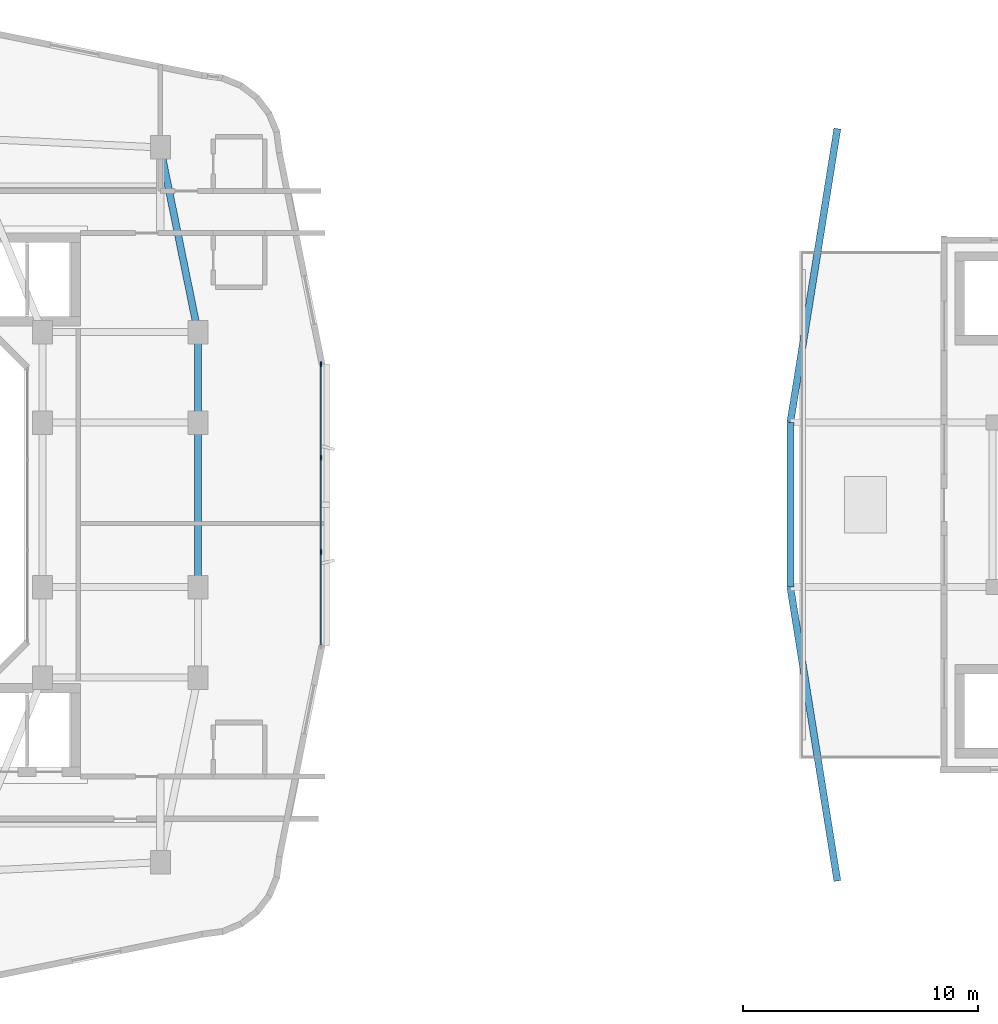
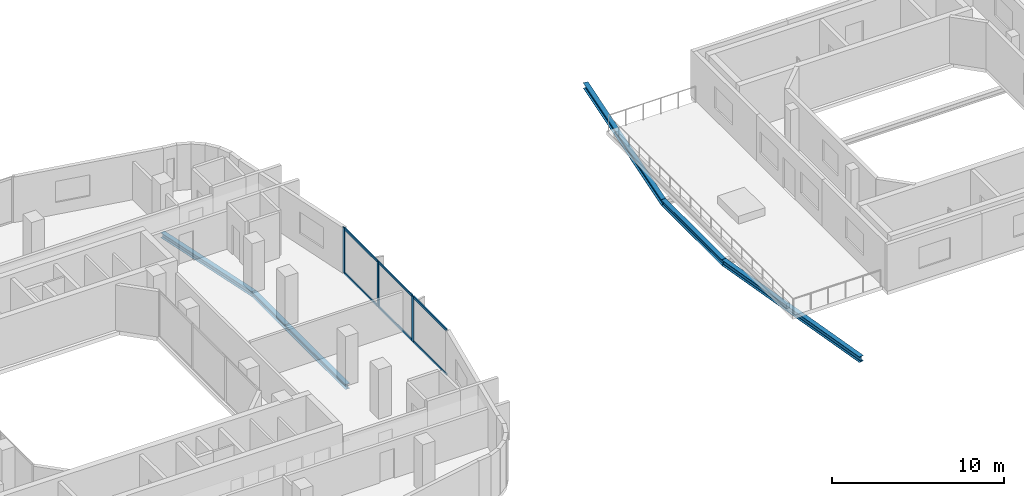
# One storey, part 5 of 18: 9 members, 6 beams, 1 element without a shape of its own.
"""IFC4 building model written with IfcOpenShell, lengths in metres."""

from ifc_helpers import new_model, si_unit, derived_unit, direction, frame, origin, origin_2d, place, context, subcontext, project, spatial, rectangle, i_section, extrude, material, layer, layer_set, material_profile, profile_set, type_object, element, aggregate, save


model = new_model("IFC4")

# Units and contexts
model_context = context("Model", 3, precision=1e-05, world=origin(), true_north=direction((0.0, 1.0)))
body_context = subcontext(model_context, "Body", "Model", "MODEL_VIEW")
ifc_project = project(units=[si_unit("LENGTHUNIT", "METRE"), si_unit("AREAUNIT", "SQUARE_METRE"), si_unit("VOLUMEUNIT", "CUBIC_METRE"), si_unit("PLANEANGLEUNIT", "RADIAN"), si_unit("MASSUNIT", "GRAM", prefix="KILO"), derived_unit("THERMALTRANSMITTANCEUNIT", [(si_unit("POWERUNIT", "WATT"), 1), (si_unit("LENGTHUNIT", "METRE"), -2), (si_unit("THERMODYNAMICTEMPERATUREUNIT", "KELVIN"), -1)])], contexts=[model_context])

# Site, building, storey
site_placement = place(None, origin())
site = spatial("IfcSite", under=ifc_project, at=site_placement, CompositionType="ELEMENT")
building_placement = place(site_placement, origin())
building = spatial("IfcBuilding", under=site, at=building_placement, Name="Kivonza Crest Hotel", CompositionType="ELEMENT")
storey_placement = place(building_placement, frame((0.0, 0.0, 131.0)))
storey = spatial("IfcBuildingStorey", under=building, at=storey_placement, Name="L35", CompositionType="ELEMENT", Elevation=131.0)

# Beams
ifc_material_1 = material(Name="Steel S355", Category="steel")
ifc_material_profile_1 = material_profile(ifc_material_1, i_section(OverallWidth=0.300048828125, OverallDepth=0.360107421875, WebThickness=0.012451171875, FlangeThickness=0.0224609375, FilletRadius=0.027099609375, at=origin_2d()), Name="HEB 360")
ifc_profile_set_1 = profile_set([ifc_material_profile_1], Name="Steel S355")
beam_type_1 = type_object("IfcBeamType", Name="BM-HEB360", PredefinedType="SPANDREL", material=ifc_profile_set_1)
beam_1_placement = place(storey_placement, frame((35.800048828125, 21.5, -0.4599609375), z_axis=(0.0, 1.0, 0.0), x_axis=(-1.0, 0.0, 0.0)))
element("IfcBeam", 1, at=beam_1_placement, inside=storey, type_object=beam_type_1, Name="Tower T1 L35 perimeter spandrel E1-E2", PredefinedType="SPANDREL", context=body_context, shape_type="SweptSolid", body=[
    extrude(i_section(OverallWidth=0.300048828125, OverallDepth=0.360107421875, WebThickness=0.012451171875, FlangeThickness=0.0224609375, FilletRadius=0.027099609375, at=origin_2d()), origin(), (0.0, 0.0, 1.0), 7.0),
])
beam_2_placement = place(storey_placement, frame((35.800048828125, 28.5, -0.4599609375), z_axis=(0.0, 1.0, 0.0), x_axis=(-1.0, 0.0, 0.0)))
element("IfcBeam", 2, at=beam_2_placement, inside=storey, type_object=beam_type_1, Name="Tower T1 L35 perimeter spandrel E2-PNE", PredefinedType="SPANDREL", context=body_context, shape_type="SweptSolid", body=[
    extrude(i_section(OverallWidth=0.300048828125, OverallDepth=0.360107421875, WebThickness=0.012451171875, FlangeThickness=0.0224609375, FilletRadius=0.027099609375, at=origin_2d()), origin(), (0.0, 0.0, 1.0), 3.85009765625),
])
beam_3_placement = place(storey_placement, frame((35.800048828125, 32.35009765625, -0.4599609375), z_axis=(-0.199730733965, 0.979850822273, 0.0), x_axis=(-0.979850822273, -0.199730733965, 0.0)))
element("IfcBeam", 3, at=beam_3_placement, inside=storey, type_object=beam_type_1, Name="Tower T1 L35 perimeter spandrel PNE-NE", PredefinedType="SPANDREL", context=body_context, shape_type="SweptSolid", body=[
    extrude(i_section(OverallWidth=0.300048828125, OverallDepth=0.360107421875, WebThickness=0.012451171875, FlangeThickness=0.0224609375, FilletRadius=0.027099609375, at=origin_2d()), origin(), (0.0, 0.0, 1.0), 8.01123046875),
])
ifc_material_profile_2 = material_profile(ifc_material_1, i_section(OverallWidth=0.300048828125, OverallDepth=0.39990234375, WebThickness=0.013427734375, FlangeThickness=0.02392578125, FilletRadius=0.027099609375, at=origin_2d()), Name="HEB 400")
ifc_profile_set_2 = profile_set([ifc_material_profile_2], Name="Steel S355")
beam_type_2 = type_object("IfcBeamType", Name="BM-HEB400", PredefinedType="BEAM", material=ifc_profile_set_2)
beam_4_placement = place(storey_placement, frame((61.0, 21.5, -0.4599609375), z_axis=(0.0, 1.0, 0.0), x_axis=(-1.0, 0.0, 0.0)))
element("IfcBeam", 4, at=beam_4_placement, inside=storey, type_object=beam_type_2, Name="Companion L35 rooftop terrace girder TW-W", PredefinedType="BEAM", context=body_context, shape_type="SweptSolid", body=[
    extrude(i_section(OverallWidth=0.300048828125, OverallDepth=0.39990234375, WebThickness=0.013427734375, FlangeThickness=0.02392578125, FilletRadius=0.027099609375, at=origin_2d()), origin(), (0.0, 0.0, 1.0), 7.0),
])
for number, where, z_axis, x_axis, name in (
    (5, (63.0, 9.0, -0.4599609375), (-0.157990501107, 0.987440631917, 0.0), (-0.987440631917, -0.157990501107, 0.0), "Companion L35 rooftop terrace girder TW-SW"),
    (6, (61.0, 28.5, -0.4599609375), (0.157990501107, 0.987440631917, 0.0), (-0.987440631917, 0.157990501107, 0.0), "Companion L35 rooftop terrace girder TW-NW"),
):
    element("IfcBeam", number, at=place(storey_placement, frame(where, z_axis=z_axis, x_axis=x_axis)), inside=storey, type_object=beam_type_2, Name=name, PredefinedType="BEAM", context=body_context, shape_type="SweptSolid", body=[
        extrude(i_section(OverallWidth=0.300048828125, OverallDepth=0.39990234375, WebThickness=0.013427734375, FlangeThickness=0.02392578125, FilletRadius=0.027099609375, at=origin_2d()), origin(), (0.0, 0.0, 1.0), 12.658935546875),
    ])

# Curtain wall, members
ifc_material_2 = material(Name="Anodised bronze aluminium and low-E double glazing", Category="aluminium")
ifc_layer = layer(ifc_material_2, 0.179931640625)
ifc_layer_set = layer_set([ifc_layer], Name="Anodised bronze aluminium and low-E double glazing")
curtain_wall_type = type_object("IfcCurtainWallType", Name="CW-SYS-3", PredefinedType="NOTDEFINED", material=ifc_layer_set)
curtain_wall_placement = place(storey_placement, origin())
curtain_wall = element("IfcCurtainWall", 7, at=curtain_wall_placement, inside=storey, type_object=curtain_wall_type, Name="L35 unitised curtain wall CW-T1-L35-17", PredefinedType="NOTDEFINED")
ifc_material_3 = material(Name="Anodised bronze aluminium", Category="aluminium")
ifc_material_profile_3 = material_profile(ifc_material_3, rectangle(XDim=0.074951171875, YDim=0.219970703125, at=origin_2d()), Name="CW-M 75x220")
ifc_profile_set_3 = profile_set([ifc_material_profile_3], Name="Anodised bronze aluminium")
member_type_1 = type_object("IfcMemberType", Name="CW-MUL-75x220", PredefinedType="MULLION", material=ifc_profile_set_3)
member_1_placement = place(storey_placement, frame((41.0400390625, 22.993408203125, 0.0), z_axis=(0.0, 0.0, 1.0), x_axis=(-1.0, 0.0, 0.0)))
member_1 = element("IfcMember", 8, at=member_1_placement, type_object=member_type_1, Name="CW-3 mullion 2", PredefinedType="MULLION", context=body_context, shape_type="SweptSolid", body=[
    extrude(rectangle(XDim=0.074951171875, YDim=0.219970703125, at=origin_2d()), origin(), (0.0, 0.0, 1.0), 3.219970703125),
])
member_2_placement = place(storey_placement, frame((41.0400390625, 27.006591796875, 0.0), z_axis=(0.0, 0.0, 1.0), x_axis=(-1.0, 0.0, 0.0)))
member_2 = element("IfcMember", 9, at=member_2_placement, type_object=member_type_1, Name="CW-3 mullion 3", PredefinedType="MULLION", context=body_context, shape_type="SweptSolid", body=[
    extrude(rectangle(XDim=0.074951171875, YDim=0.219970703125, at=origin_2d()), origin(), (0.0, 0.0, 1.0), 3.219970703125),
])
member_3_placement = place(storey_placement, frame((41.0400390625, 30.982421875, 0.0), z_axis=(0.0, 0.0, 1.0), x_axis=(-1.0, 0.0, 0.0)))
member_3 = element("IfcMember", 10, at=member_3_placement, type_object=member_type_1, Name="CW-3 mullion 4", PredefinedType="MULLION", context=body_context, shape_type="SweptSolid", body=[
    extrude(rectangle(XDim=0.074951171875, YDim=0.219970703125, at=origin_2d()), origin(), (0.0, 0.0, 1.0), 3.219970703125),
])
ifc_material_profile_4 = material_profile(ifc_material_3, rectangle(XDim=0.074951171875, YDim=0.159912109375, at=origin_2d()), Name="CW-T 75x160")
ifc_profile_set_4 = profile_set([ifc_material_profile_4], Name="Anodised bronze aluminium")
member_type_2 = type_object("IfcMemberType", Name="CW-TRN-75x160", PredefinedType="USERDEFINED", material=ifc_profile_set_4)
member_4_placement = place(storey_placement, frame((41.0400390625, 19.054931640625, 0.03759765625), z_axis=(0.0, 1.0, 0.0), x_axis=(-1.0, 0.0, 0.0)))
member_4 = element("IfcMember", 11, at=member_4_placement, type_object=member_type_2, Name="CW-3 transom 1.1", ObjectType="TRANSOM", PredefinedType="USERDEFINED", context=body_context, shape_type="SweptSolid", body=[
    extrude(rectangle(XDim=0.074951171875, YDim=0.159912109375, at=origin_2d()), origin(), (0.0, 0.0, 1.0), 3.90087890625),
])
member_5_placement = place(storey_placement, frame((41.0400390625, 19.054931640625, 3.1826171875), z_axis=(0.0, 1.0, 0.0), x_axis=(-1.0, 0.0, 0.0)))
member_5 = element("IfcMember", 12, at=member_5_placement, type_object=member_type_2, Name="CW-3 transom 1.2", ObjectType="TRANSOM", PredefinedType="USERDEFINED", context=body_context, shape_type="SweptSolid", body=[
    extrude(rectangle(XDim=0.074951171875, YDim=0.159912109375, at=origin_2d()), origin(), (0.0, 0.0, 1.0), 3.90087890625),
])
member_6_placement = place(storey_placement, frame((41.0400390625, 23.03076171875, 0.03759765625), z_axis=(0.0, 1.0, 0.0), x_axis=(-1.0, 0.0, 0.0)))
member_6 = element("IfcMember", 13, at=member_6_placement, type_object=member_type_2, Name="CW-3 transom 2.1", ObjectType="TRANSOM", PredefinedType="USERDEFINED", context=body_context, shape_type="SweptSolid", body=[
    extrude(rectangle(XDim=0.074951171875, YDim=0.159912109375, at=origin_2d()), origin(), (0.0, 0.0, 1.0), 3.9384765625),
])
member_7_placement = place(storey_placement, frame((41.0400390625, 23.03076171875, 3.1826171875), z_axis=(0.0, 1.0, 0.0), x_axis=(-1.0, 0.0, 0.0)))
member_7 = element("IfcMember", 14, at=member_7_placement, type_object=member_type_2, Name="CW-3 transom 2.2", ObjectType="TRANSOM", PredefinedType="USERDEFINED", context=body_context, shape_type="SweptSolid", body=[
    extrude(rectangle(XDim=0.074951171875, YDim=0.159912109375, at=origin_2d()), origin(), (0.0, 0.0, 1.0), 3.9384765625),
])
member_8_placement = place(storey_placement, frame((41.0400390625, 27.044189453125, 0.03759765625), z_axis=(0.0, 1.0, 0.0), x_axis=(-1.0, 0.0, 0.0)))
member_8 = element("IfcMember", 15, at=member_8_placement, type_object=member_type_2, Name="CW-3 transom 3.1", ObjectType="TRANSOM", PredefinedType="USERDEFINED", context=body_context, shape_type="SweptSolid", body=[
    extrude(rectangle(XDim=0.074951171875, YDim=0.159912109375, at=origin_2d()), origin(), (0.0, 0.0, 1.0), 3.90087890625),
])
member_9_placement = place(storey_placement, frame((41.0400390625, 27.044189453125, 3.1826171875), z_axis=(0.0, 1.0, 0.0), x_axis=(-1.0, 0.0, 0.0)))
member_9 = element("IfcMember", 16, at=member_9_placement, type_object=member_type_2, Name="CW-3 transom 3.2", ObjectType="TRANSOM", PredefinedType="USERDEFINED", context=body_context, shape_type="SweptSolid", body=[
    extrude(rectangle(XDim=0.074951171875, YDim=0.159912109375, at=origin_2d()), origin(), (0.0, 0.0, 1.0), 3.90087890625),
])
aggregate(curtain_wall, [member_1, member_2, member_3, member_4, member_5, member_6, member_7, member_8, member_9])

save(model, "model.ifc")
